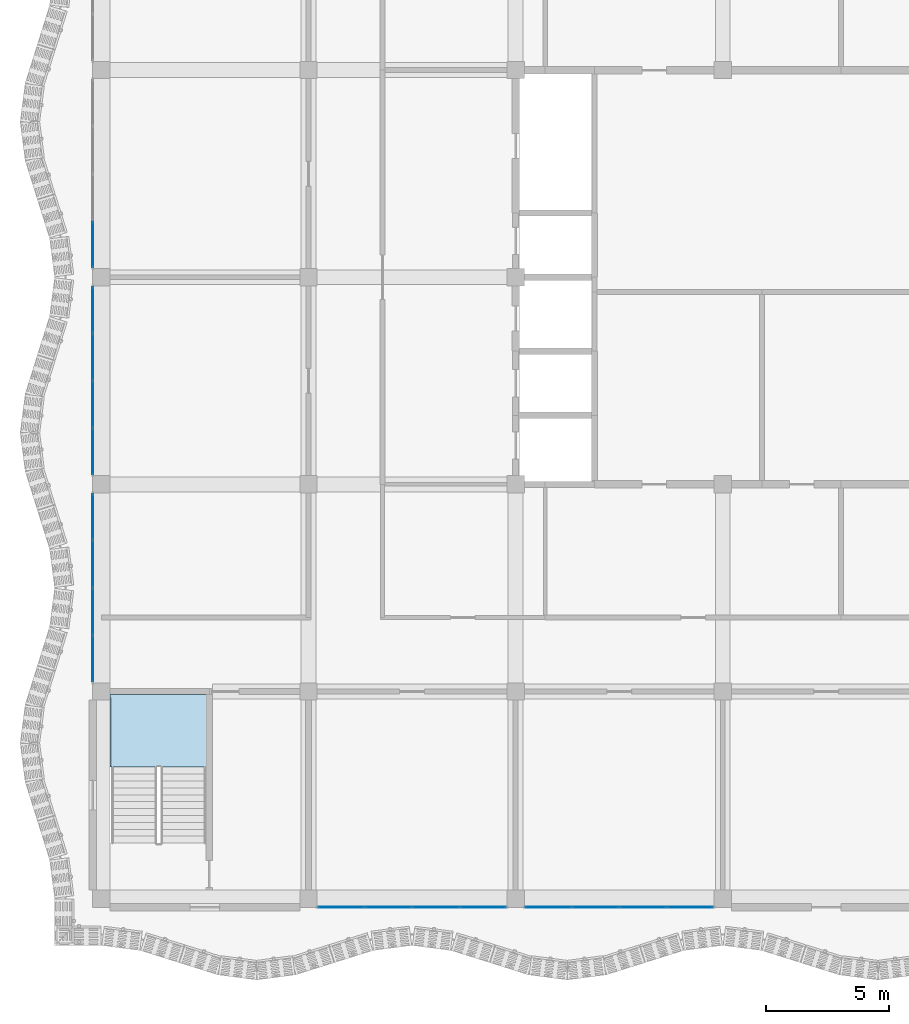
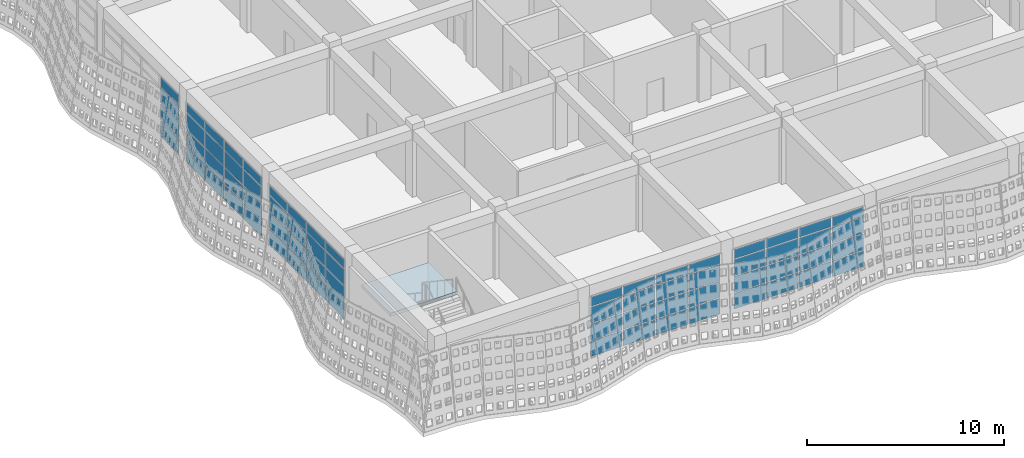
# One storey, part 61 of 162: 68 plates, 1 slab, 6 elements without a shape of their own.
"""IFC4 building model written with IfcOpenShell, lengths in metres."""

from ifc_helpers import new_model, si_unit, direction, frame, origin, origin_2d, place, context, subcontext, project, spatial, polyline, rectangle, outline, extrude, material, layer, layer_set, type_object, element, aggregate, save


model = new_model("IFC4")

# Units and contexts
model_context = context("Model", 3, precision=1e-05, world=origin(), true_north=direction((0.0, 1.0)))
body_context = subcontext(model_context, "Body", "Model", "MODEL_VIEW")
ifc_project = project(units=[si_unit("LENGTHUNIT", "METRE"), si_unit("AREAUNIT", "SQUARE_METRE"), si_unit("VOLUMEUNIT", "CUBIC_METRE"), si_unit("PLANEANGLEUNIT", "RADIAN"), si_unit("MASSUNIT", "GRAM", prefix="KILO")], contexts=[model_context])

# Site, building, storey
site_placement = place(None, origin())
site = spatial("IfcSite", under=ifc_project, at=site_placement, CompositionType="ELEMENT")
building_placement = place(site_placement, origin())
building = spatial("IfcBuilding", under=site, at=building_placement, Name="Rain Tree Exposition and Congress Centre", CompositionType="ELEMENT")
storey_placement = place(building_placement, frame((0.0, 0.0, 6.0)))
storey = spatial("IfcBuildingStorey", under=building, at=storey_placement, Name="L01", CompositionType="ELEMENT", Elevation=6.0)

# Curtain wall, plates
ifc_material_1 = material(Name="Aluminium curtain wall", Category="aluminium")
curtain_wall_type = type_object("IfcCurtainWallType", Name="Wing curtain wall 1925", PredefinedType="NOTDEFINED", material=ifc_material_1)
curtain_wall_1_placement = place(storey_placement, origin())
curtain_wall_1 = element("IfcCurtainWall", 1, at=curtain_wall_1_placement, inside=storey, type_object=curtain_wall_type, Name="Curtain wall CWW201", PredefinedType="NOTDEFINED")
ifc_material_2 = material(Name="Double glazed unit", Category="glass")
ifc_layer_1 = layer(ifc_material_2, 0.028076171875)
ifc_layer_set_1 = layer_set([ifc_layer_1], Name="Double glazed unit")
plate_type = type_object("IfcPlateType", Name="Wing glazing panel 28", PredefinedType="CURTAIN_PANEL", material=ifc_layer_set_1)
plate_1_placement = place(storey_placement, frame((9.7275390625, -0.35009765625, 0.06005859375), z_axis=(0.0, 0.0, 1.0), x_axis=(1.0, 0.0, 0.0)))
plate_1 = element("IfcPlate", 2, at=plate_1_placement, type_object=plate_type, Name="CWW201 panel 1.1", PredefinedType="CURTAIN_PANEL", context=body_context, shape_type="SweptSolid", body=[
    extrude(rectangle(XDim=1.8349609375, YDim=0.028076171875, at=origin_2d()), origin(), (0.0, 0.0, 1.0), 0.9599609375),
])
plate_2_placement = place(storey_placement, frame((9.7275390625, -0.35009765625, 1.080078125), z_axis=(0.0, 0.0, 1.0), x_axis=(1.0, 0.0, 0.0)))
plate_2 = element("IfcPlate", 3, at=plate_2_placement, type_object=plate_type, Name="CWW201 panel 1.2", PredefinedType="CURTAIN_PANEL", context=body_context, shape_type="SweptSolid", body=[
    extrude(rectangle(XDim=1.8349609375, YDim=0.028076171875, at=origin_2d()), origin(), (0.0, 0.0, 1.0), 0.989990234375),
])
plate_3_placement = place(storey_placement, frame((9.7275390625, -0.35009765625, 2.1298828125), z_axis=(0.0, 0.0, 1.0), x_axis=(1.0, 0.0, 0.0)))
plate_3 = element("IfcPlate", 4, at=plate_3_placement, type_object=plate_type, Name="CWW201 panel 1.3", PredefinedType="CURTAIN_PANEL", context=body_context, shape_type="SweptSolid", body=[
    extrude(rectangle(XDim=1.8349609375, YDim=0.028076171875, at=origin_2d()), origin(), (0.0, 0.0, 1.0), 0.989990234375),
])
plate_4_placement = place(storey_placement, frame((9.7275390625, -0.35009765625, 3.179931640625), z_axis=(0.0, 0.0, 1.0), x_axis=(1.0, 0.0, 0.0)))
plate_4 = element("IfcPlate", 5, at=plate_4_placement, type_object=plate_type, Name="CWW201 panel 1.4", PredefinedType="CURTAIN_PANEL", context=body_context, shape_type="SweptSolid", body=[
    extrude(rectangle(XDim=1.8349609375, YDim=0.028076171875, at=origin_2d()), origin(), (0.0, 0.0, 1.0), 0.56005859375),
])
plate_5_placement = place(storey_placement, frame((11.637451171875, -0.35009765625, 0.06005859375), z_axis=(0.0, 0.0, 1.0), x_axis=(1.0, 0.0, 0.0)))
plate_5 = element("IfcPlate", 6, at=plate_5_placement, type_object=plate_type, Name="CWW201 panel 2.1", PredefinedType="CURTAIN_PANEL", context=body_context, shape_type="SweptSolid", body=[
    extrude(rectangle(XDim=1.864990234375, YDim=0.028076171875, at=origin_2d()), origin(), (0.0, 0.0, 1.0), 0.9599609375),
])
plate_6_placement = place(storey_placement, frame((11.637451171875, -0.35009765625, 1.080078125), z_axis=(0.0, 0.0, 1.0), x_axis=(1.0, 0.0, 0.0)))
plate_6 = element("IfcPlate", 7, at=plate_6_placement, type_object=plate_type, Name="CWW201 panel 2.2", PredefinedType="CURTAIN_PANEL", context=body_context, shape_type="SweptSolid", body=[
    extrude(rectangle(XDim=1.864990234375, YDim=0.028076171875, at=origin_2d()), origin(), (0.0, 0.0, 1.0), 0.989990234375),
])
plate_7_placement = place(storey_placement, frame((11.637451171875, -0.35009765625, 2.1298828125), z_axis=(0.0, 0.0, 1.0), x_axis=(1.0, 0.0, 0.0)))
plate_7 = element("IfcPlate", 8, at=plate_7_placement, type_object=plate_type, Name="CWW201 panel 2.3", PredefinedType="CURTAIN_PANEL", context=body_context, shape_type="SweptSolid", body=[
    extrude(rectangle(XDim=1.864990234375, YDim=0.028076171875, at=origin_2d()), origin(), (0.0, 0.0, 1.0), 0.989990234375),
])
plate_8_placement = place(storey_placement, frame((11.637451171875, -0.35009765625, 3.179931640625), z_axis=(0.0, 0.0, 1.0), x_axis=(1.0, 0.0, 0.0)))
plate_8 = element("IfcPlate", 9, at=plate_8_placement, type_object=plate_type, Name="CWW201 panel 2.4", PredefinedType="CURTAIN_PANEL", context=body_context, shape_type="SweptSolid", body=[
    extrude(rectangle(XDim=1.864990234375, YDim=0.028076171875, at=origin_2d()), origin(), (0.0, 0.0, 1.0), 0.56005859375),
])
plate_9_placement = place(storey_placement, frame((13.5625, -0.35009765625, 0.06005859375), z_axis=(0.0, 0.0, 1.0), x_axis=(1.0, 0.0, 0.0)))
plate_9 = element("IfcPlate", 10, at=plate_9_placement, type_object=plate_type, Name="CWW201 panel 3.1", PredefinedType="CURTAIN_PANEL", context=body_context, shape_type="SweptSolid", body=[
    extrude(rectangle(XDim=1.864990234375, YDim=0.028076171875, at=origin_2d()), origin(), (0.0, 0.0, 1.0), 0.9599609375),
])
plate_10_placement = place(storey_placement, frame((13.5625, -0.35009765625, 1.080078125), z_axis=(0.0, 0.0, 1.0), x_axis=(1.0, 0.0, 0.0)))
plate_10 = element("IfcPlate", 11, at=plate_10_placement, type_object=plate_type, Name="CWW201 panel 3.2", PredefinedType="CURTAIN_PANEL", context=body_context, shape_type="SweptSolid", body=[
    extrude(rectangle(XDim=1.864990234375, YDim=0.028076171875, at=origin_2d()), origin(), (0.0, 0.0, 1.0), 0.989990234375),
])
plate_11_placement = place(storey_placement, frame((13.5625, -0.35009765625, 2.1298828125), z_axis=(0.0, 0.0, 1.0), x_axis=(1.0, 0.0, 0.0)))
plate_11 = element("IfcPlate", 12, at=plate_11_placement, type_object=plate_type, Name="CWW201 panel 3.3", PredefinedType="CURTAIN_PANEL", context=body_context, shape_type="SweptSolid", body=[
    extrude(rectangle(XDim=1.864990234375, YDim=0.028076171875, at=origin_2d()), origin(), (0.0, 0.0, 1.0), 0.989990234375),
])
plate_12_placement = place(storey_placement, frame((13.5625, -0.35009765625, 3.179931640625), z_axis=(0.0, 0.0, 1.0), x_axis=(1.0, 0.0, 0.0)))
plate_12 = element("IfcPlate", 13, at=plate_12_placement, type_object=plate_type, Name="CWW201 panel 3.4", PredefinedType="CURTAIN_PANEL", context=body_context, shape_type="SweptSolid", body=[
    extrude(rectangle(XDim=1.864990234375, YDim=0.028076171875, at=origin_2d()), origin(), (0.0, 0.0, 1.0), 0.56005859375),
])
plate_13_placement = place(storey_placement, frame((15.472412109375, -0.35009765625, 0.06005859375), z_axis=(0.0, 0.0, 1.0), x_axis=(1.0, 0.0, 0.0)))
plate_13 = element("IfcPlate", 14, at=plate_13_placement, type_object=plate_type, Name="CWW201 panel 4.1", PredefinedType="CURTAIN_PANEL", context=body_context, shape_type="SweptSolid", body=[
    extrude(rectangle(XDim=1.8349609375, YDim=0.028076171875, at=origin_2d()), origin(), (0.0, 0.0, 1.0), 0.9599609375),
])
plate_14_placement = place(storey_placement, frame((15.472412109375, -0.35009765625, 1.080078125), z_axis=(0.0, 0.0, 1.0), x_axis=(1.0, 0.0, 0.0)))
plate_14 = element("IfcPlate", 15, at=plate_14_placement, type_object=plate_type, Name="CWW201 panel 4.2", PredefinedType="CURTAIN_PANEL", context=body_context, shape_type="SweptSolid", body=[
    extrude(rectangle(XDim=1.8349609375, YDim=0.028076171875, at=origin_2d()), origin(), (0.0, 0.0, 1.0), 0.989990234375),
])
plate_15_placement = place(storey_placement, frame((15.472412109375, -0.35009765625, 2.1298828125), z_axis=(0.0, 0.0, 1.0), x_axis=(1.0, 0.0, 0.0)))
plate_15 = element("IfcPlate", 16, at=plate_15_placement, type_object=plate_type, Name="CWW201 panel 4.3", PredefinedType="CURTAIN_PANEL", context=body_context, shape_type="SweptSolid", body=[
    extrude(rectangle(XDim=1.8349609375, YDim=0.028076171875, at=origin_2d()), origin(), (0.0, 0.0, 1.0), 0.989990234375),
])
plate_16_placement = place(storey_placement, frame((15.472412109375, -0.35009765625, 3.179931640625), z_axis=(0.0, 0.0, 1.0), x_axis=(1.0, 0.0, 0.0)))
plate_16 = element("IfcPlate", 17, at=plate_16_placement, type_object=plate_type, Name="CWW201 panel 4.4", PredefinedType="CURTAIN_PANEL", context=body_context, shape_type="SweptSolid", body=[
    extrude(rectangle(XDim=1.8349609375, YDim=0.028076171875, at=origin_2d()), origin(), (0.0, 0.0, 1.0), 0.56005859375),
])
aggregate(curtain_wall_1, [plate_1, plate_2, plate_3, plate_4, plate_5, plate_6, plate_7, plate_8, plate_9, plate_10, plate_11, plate_12, plate_13, plate_14, plate_15, plate_16])

curtain_wall_2_placement = place(storey_placement, origin())
curtain_wall_2 = element("IfcCurtainWall", 18, at=curtain_wall_2_placement, inside=storey, type_object=curtain_wall_type, Name="Curtain wall CWW202", PredefinedType="NOTDEFINED")
plate_17_placement = place(storey_placement, frame((18.12744140625, -0.35009765625, 0.06005859375), z_axis=(0.0, 0.0, 1.0), x_axis=(1.0, 0.0, 0.0)))
plate_17 = element("IfcPlate", 19, at=plate_17_placement, type_object=plate_type, Name="CWW202 panel 1.1", PredefinedType="CURTAIN_PANEL", context=body_context, shape_type="SweptSolid", body=[
    extrude(rectangle(XDim=1.8349609375, YDim=0.028076171875, at=origin_2d()), origin(), (0.0, 0.0, 1.0), 0.9599609375),
])
plate_18_placement = place(storey_placement, frame((18.12744140625, -0.35009765625, 1.080078125), z_axis=(0.0, 0.0, 1.0), x_axis=(1.0, 0.0, 0.0)))
plate_18 = element("IfcPlate", 20, at=plate_18_placement, type_object=plate_type, Name="CWW202 panel 1.2", PredefinedType="CURTAIN_PANEL", context=body_context, shape_type="SweptSolid", body=[
    extrude(rectangle(XDim=1.8349609375, YDim=0.028076171875, at=origin_2d()), origin(), (0.0, 0.0, 1.0), 0.989990234375),
])
plate_19_placement = place(storey_placement, frame((18.12744140625, -0.35009765625, 2.1298828125), z_axis=(0.0, 0.0, 1.0), x_axis=(1.0, 0.0, 0.0)))
plate_19 = element("IfcPlate", 21, at=plate_19_placement, type_object=plate_type, Name="CWW202 panel 1.3", PredefinedType="CURTAIN_PANEL", context=body_context, shape_type="SweptSolid", body=[
    extrude(rectangle(XDim=1.8349609375, YDim=0.028076171875, at=origin_2d()), origin(), (0.0, 0.0, 1.0), 0.989990234375),
])
plate_20_placement = place(storey_placement, frame((18.12744140625, -0.35009765625, 3.179931640625), z_axis=(0.0, 0.0, 1.0), x_axis=(1.0, 0.0, 0.0)))
plate_20 = element("IfcPlate", 22, at=plate_20_placement, type_object=plate_type, Name="CWW202 panel 1.4", PredefinedType="CURTAIN_PANEL", context=body_context, shape_type="SweptSolid", body=[
    extrude(rectangle(XDim=1.8349609375, YDim=0.028076171875, at=origin_2d()), origin(), (0.0, 0.0, 1.0), 0.56005859375),
])
plate_21_placement = place(storey_placement, frame((20.03759765625, -0.35009765625, 0.06005859375), z_axis=(0.0, 0.0, 1.0), x_axis=(1.0, 0.0, 0.0)))
plate_21 = element("IfcPlate", 23, at=plate_21_placement, type_object=plate_type, Name="CWW202 panel 2.1", PredefinedType="CURTAIN_PANEL", context=body_context, shape_type="SweptSolid", body=[
    extrude(rectangle(XDim=1.864990234375, YDim=0.028076171875, at=origin_2d()), origin(), (0.0, 0.0, 1.0), 0.9599609375),
])
plate_22_placement = place(storey_placement, frame((20.03759765625, -0.35009765625, 1.080078125), z_axis=(0.0, 0.0, 1.0), x_axis=(1.0, 0.0, 0.0)))
plate_22 = element("IfcPlate", 24, at=plate_22_placement, type_object=plate_type, Name="CWW202 panel 2.2", PredefinedType="CURTAIN_PANEL", context=body_context, shape_type="SweptSolid", body=[
    extrude(rectangle(XDim=1.864990234375, YDim=0.028076171875, at=origin_2d()), origin(), (0.0, 0.0, 1.0), 0.989990234375),
])
plate_23_placement = place(storey_placement, frame((20.03759765625, -0.35009765625, 2.1298828125), z_axis=(0.0, 0.0, 1.0), x_axis=(1.0, 0.0, 0.0)))
plate_23 = element("IfcPlate", 25, at=plate_23_placement, type_object=plate_type, Name="CWW202 panel 2.3", PredefinedType="CURTAIN_PANEL", context=body_context, shape_type="SweptSolid", body=[
    extrude(rectangle(XDim=1.864990234375, YDim=0.028076171875, at=origin_2d()), origin(), (0.0, 0.0, 1.0), 0.989990234375),
])
plate_24_placement = place(storey_placement, frame((20.03759765625, -0.35009765625, 3.179931640625), z_axis=(0.0, 0.0, 1.0), x_axis=(1.0, 0.0, 0.0)))
plate_24 = element("IfcPlate", 26, at=plate_24_placement, type_object=plate_type, Name="CWW202 panel 2.4", PredefinedType="CURTAIN_PANEL", context=body_context, shape_type="SweptSolid", body=[
    extrude(rectangle(XDim=1.864990234375, YDim=0.028076171875, at=origin_2d()), origin(), (0.0, 0.0, 1.0), 0.56005859375),
])
plate_25_placement = place(storey_placement, frame((21.96240234375, -0.35009765625, 0.06005859375), z_axis=(0.0, 0.0, 1.0), x_axis=(1.0, 0.0, 0.0)))
plate_25 = element("IfcPlate", 27, at=plate_25_placement, type_object=plate_type, Name="CWW202 panel 3.1", PredefinedType="CURTAIN_PANEL", context=body_context, shape_type="SweptSolid", body=[
    extrude(rectangle(XDim=1.864990234375, YDim=0.028076171875, at=origin_2d()), origin(), (0.0, 0.0, 1.0), 0.9599609375),
])
plate_26_placement = place(storey_placement, frame((21.96240234375, -0.35009765625, 1.080078125), z_axis=(0.0, 0.0, 1.0), x_axis=(1.0, 0.0, 0.0)))
plate_26 = element("IfcPlate", 28, at=plate_26_placement, type_object=plate_type, Name="CWW202 panel 3.2", PredefinedType="CURTAIN_PANEL", context=body_context, shape_type="SweptSolid", body=[
    extrude(rectangle(XDim=1.864990234375, YDim=0.028076171875, at=origin_2d()), origin(), (0.0, 0.0, 1.0), 0.989990234375),
])
plate_27_placement = place(storey_placement, frame((21.96240234375, -0.35009765625, 2.1298828125), z_axis=(0.0, 0.0, 1.0), x_axis=(1.0, 0.0, 0.0)))
plate_27 = element("IfcPlate", 29, at=plate_27_placement, type_object=plate_type, Name="CWW202 panel 3.3", PredefinedType="CURTAIN_PANEL", context=body_context, shape_type="SweptSolid", body=[
    extrude(rectangle(XDim=1.864990234375, YDim=0.028076171875, at=origin_2d()), origin(), (0.0, 0.0, 1.0), 0.989990234375),
])
plate_28_placement = place(storey_placement, frame((21.96240234375, -0.35009765625, 3.179931640625), z_axis=(0.0, 0.0, 1.0), x_axis=(1.0, 0.0, 0.0)))
plate_28 = element("IfcPlate", 30, at=plate_28_placement, type_object=plate_type, Name="CWW202 panel 3.4", PredefinedType="CURTAIN_PANEL", context=body_context, shape_type="SweptSolid", body=[
    extrude(rectangle(XDim=1.864990234375, YDim=0.028076171875, at=origin_2d()), origin(), (0.0, 0.0, 1.0), 0.56005859375),
])
plate_29_placement = place(storey_placement, frame((23.87255859375, -0.35009765625, 0.06005859375), z_axis=(0.0, 0.0, 1.0), x_axis=(1.0, 0.0, 0.0)))
plate_29 = element("IfcPlate", 31, at=plate_29_placement, type_object=plate_type, Name="CWW202 panel 4.1", PredefinedType="CURTAIN_PANEL", context=body_context, shape_type="SweptSolid", body=[
    extrude(rectangle(XDim=1.8349609375, YDim=0.028076171875, at=origin_2d()), origin(), (0.0, 0.0, 1.0), 0.9599609375),
])
plate_30_placement = place(storey_placement, frame((23.87255859375, -0.35009765625, 1.080078125), z_axis=(0.0, 0.0, 1.0), x_axis=(1.0, 0.0, 0.0)))
plate_30 = element("IfcPlate", 32, at=plate_30_placement, type_object=plate_type, Name="CWW202 panel 4.2", PredefinedType="CURTAIN_PANEL", context=body_context, shape_type="SweptSolid", body=[
    extrude(rectangle(XDim=1.8349609375, YDim=0.028076171875, at=origin_2d()), origin(), (0.0, 0.0, 1.0), 0.989990234375),
])
plate_31_placement = place(storey_placement, frame((23.87255859375, -0.35009765625, 2.1298828125), z_axis=(0.0, 0.0, 1.0), x_axis=(1.0, 0.0, 0.0)))
plate_31 = element("IfcPlate", 33, at=plate_31_placement, type_object=plate_type, Name="CWW202 panel 4.3", PredefinedType="CURTAIN_PANEL", context=body_context, shape_type="SweptSolid", body=[
    extrude(rectangle(XDim=1.8349609375, YDim=0.028076171875, at=origin_2d()), origin(), (0.0, 0.0, 1.0), 0.989990234375),
])
plate_32_placement = place(storey_placement, frame((23.87255859375, -0.35009765625, 3.179931640625), z_axis=(0.0, 0.0, 1.0), x_axis=(1.0, 0.0, 0.0)))
plate_32 = element("IfcPlate", 34, at=plate_32_placement, type_object=plate_type, Name="CWW202 panel 4.4", PredefinedType="CURTAIN_PANEL", context=body_context, shape_type="SweptSolid", body=[
    extrude(rectangle(XDim=1.8349609375, YDim=0.028076171875, at=origin_2d()), origin(), (0.0, 0.0, 1.0), 0.56005859375),
])
aggregate(curtain_wall_2, [plate_17, plate_18, plate_19, plate_20, plate_21, plate_22, plate_23, plate_24, plate_25, plate_26, plate_27, plate_28, plate_29, plate_30, plate_31, plate_32])

curtain_wall_3_placement = place(storey_placement, origin())
curtain_wall_3 = element("IfcCurtainWall", 35, at=curtain_wall_3_placement, inside=storey, type_object=curtain_wall_type, Name="Curtain wall CWW208", PredefinedType="NOTDEFINED")
plate_33_placement = place(storey_placement, frame((-0.35009765625, 9.7275390625, 0.06005859375), z_axis=(0.0, 0.0, 1.0), x_axis=(0.0, 1.0, 0.0)))
plate_33 = element("IfcPlate", 36, at=plate_33_placement, type_object=plate_type, Name="CWW208 panel 1.1", PredefinedType="CURTAIN_PANEL", context=body_context, shape_type="SweptSolid", body=[
    extrude(rectangle(XDim=1.8349609375, YDim=0.028076171875, at=origin_2d()), origin(), (0.0, 0.0, 1.0), 0.9599609375),
])
plate_34_placement = place(storey_placement, frame((-0.35009765625, 9.7275390625, 1.080078125), z_axis=(0.0, 0.0, 1.0), x_axis=(0.0, 1.0, 0.0)))
plate_34 = element("IfcPlate", 37, at=plate_34_placement, type_object=plate_type, Name="CWW208 panel 1.2", PredefinedType="CURTAIN_PANEL", context=body_context, shape_type="SweptSolid", body=[
    extrude(rectangle(XDim=1.8349609375, YDim=0.028076171875, at=origin_2d()), origin(), (0.0, 0.0, 1.0), 0.989990234375),
])
plate_35_placement = place(storey_placement, frame((-0.35009765625, 9.7275390625, 2.1298828125), z_axis=(0.0, 0.0, 1.0), x_axis=(0.0, 1.0, 0.0)))
plate_35 = element("IfcPlate", 38, at=plate_35_placement, type_object=plate_type, Name="CWW208 panel 1.3", PredefinedType="CURTAIN_PANEL", context=body_context, shape_type="SweptSolid", body=[
    extrude(rectangle(XDim=1.8349609375, YDim=0.028076171875, at=origin_2d()), origin(), (0.0, 0.0, 1.0), 0.989990234375),
])
plate_36_placement = place(storey_placement, frame((-0.35009765625, 9.7275390625, 3.179931640625), z_axis=(0.0, 0.0, 1.0), x_axis=(0.0, 1.0, 0.0)))
plate_36 = element("IfcPlate", 39, at=plate_36_placement, type_object=plate_type, Name="CWW208 panel 1.4", PredefinedType="CURTAIN_PANEL", context=body_context, shape_type="SweptSolid", body=[
    extrude(rectangle(XDim=1.8349609375, YDim=0.028076171875, at=origin_2d()), origin(), (0.0, 0.0, 1.0), 0.56005859375),
])
plate_37_placement = place(storey_placement, frame((-0.35009765625, 11.637451171875, 0.06005859375), z_axis=(0.0, 0.0, 1.0), x_axis=(0.0, 1.0, 0.0)))
plate_37 = element("IfcPlate", 40, at=plate_37_placement, type_object=plate_type, Name="CWW208 panel 2.1", PredefinedType="CURTAIN_PANEL", context=body_context, shape_type="SweptSolid", body=[
    extrude(rectangle(XDim=1.864990234375, YDim=0.028076171875, at=origin_2d()), origin(), (0.0, 0.0, 1.0), 0.9599609375),
])
plate_38_placement = place(storey_placement, frame((-0.35009765625, 11.637451171875, 1.080078125), z_axis=(0.0, 0.0, 1.0), x_axis=(0.0, 1.0, 0.0)))
plate_38 = element("IfcPlate", 41, at=plate_38_placement, type_object=plate_type, Name="CWW208 panel 2.2", PredefinedType="CURTAIN_PANEL", context=body_context, shape_type="SweptSolid", body=[
    extrude(rectangle(XDim=1.864990234375, YDim=0.028076171875, at=origin_2d()), origin(), (0.0, 0.0, 1.0), 0.989990234375),
])
plate_39_placement = place(storey_placement, frame((-0.35009765625, 11.637451171875, 2.1298828125), z_axis=(0.0, 0.0, 1.0), x_axis=(0.0, 1.0, 0.0)))
plate_39 = element("IfcPlate", 42, at=plate_39_placement, type_object=plate_type, Name="CWW208 panel 2.3", PredefinedType="CURTAIN_PANEL", context=body_context, shape_type="SweptSolid", body=[
    extrude(rectangle(XDim=1.864990234375, YDim=0.028076171875, at=origin_2d()), origin(), (0.0, 0.0, 1.0), 0.989990234375),
])
plate_40_placement = place(storey_placement, frame((-0.35009765625, 11.637451171875, 3.179931640625), z_axis=(0.0, 0.0, 1.0), x_axis=(0.0, 1.0, 0.0)))
plate_40 = element("IfcPlate", 43, at=plate_40_placement, type_object=plate_type, Name="CWW208 panel 2.4", PredefinedType="CURTAIN_PANEL", context=body_context, shape_type="SweptSolid", body=[
    extrude(rectangle(XDim=1.864990234375, YDim=0.028076171875, at=origin_2d()), origin(), (0.0, 0.0, 1.0), 0.56005859375),
])
plate_41_placement = place(storey_placement, frame((-0.35009765625, 13.5625, 0.06005859375), z_axis=(0.0, 0.0, 1.0), x_axis=(0.0, 1.0, 0.0)))
plate_41 = element("IfcPlate", 44, at=plate_41_placement, type_object=plate_type, Name="CWW208 panel 3.1", PredefinedType="CURTAIN_PANEL", context=body_context, shape_type="SweptSolid", body=[
    extrude(rectangle(XDim=1.864990234375, YDim=0.028076171875, at=origin_2d()), origin(), (0.0, 0.0, 1.0), 0.9599609375),
])
plate_42_placement = place(storey_placement, frame((-0.35009765625, 13.5625, 1.080078125), z_axis=(0.0, 0.0, 1.0), x_axis=(0.0, 1.0, 0.0)))
plate_42 = element("IfcPlate", 45, at=plate_42_placement, type_object=plate_type, Name="CWW208 panel 3.2", PredefinedType="CURTAIN_PANEL", context=body_context, shape_type="SweptSolid", body=[
    extrude(rectangle(XDim=1.864990234375, YDim=0.028076171875, at=origin_2d()), origin(), (0.0, 0.0, 1.0), 0.989990234375),
])
plate_43_placement = place(storey_placement, frame((-0.35009765625, 13.5625, 2.1298828125), z_axis=(0.0, 0.0, 1.0), x_axis=(0.0, 1.0, 0.0)))
plate_43 = element("IfcPlate", 46, at=plate_43_placement, type_object=plate_type, Name="CWW208 panel 3.3", PredefinedType="CURTAIN_PANEL", context=body_context, shape_type="SweptSolid", body=[
    extrude(rectangle(XDim=1.864990234375, YDim=0.028076171875, at=origin_2d()), origin(), (0.0, 0.0, 1.0), 0.989990234375),
])
plate_44_placement = place(storey_placement, frame((-0.35009765625, 13.5625, 3.179931640625), z_axis=(0.0, 0.0, 1.0), x_axis=(0.0, 1.0, 0.0)))
plate_44 = element("IfcPlate", 47, at=plate_44_placement, type_object=plate_type, Name="CWW208 panel 3.4", PredefinedType="CURTAIN_PANEL", context=body_context, shape_type="SweptSolid", body=[
    extrude(rectangle(XDim=1.864990234375, YDim=0.028076171875, at=origin_2d()), origin(), (0.0, 0.0, 1.0), 0.56005859375),
])
plate_45_placement = place(storey_placement, frame((-0.35009765625, 15.472412109375, 0.06005859375), z_axis=(0.0, 0.0, 1.0), x_axis=(0.0, 1.0, 0.0)))
plate_45 = element("IfcPlate", 48, at=plate_45_placement, type_object=plate_type, Name="CWW208 panel 4.1", PredefinedType="CURTAIN_PANEL", context=body_context, shape_type="SweptSolid", body=[
    extrude(rectangle(XDim=1.8349609375, YDim=0.028076171875, at=origin_2d()), origin(), (0.0, 0.0, 1.0), 0.9599609375),
])
plate_46_placement = place(storey_placement, frame((-0.35009765625, 15.472412109375, 1.080078125), z_axis=(0.0, 0.0, 1.0), x_axis=(0.0, 1.0, 0.0)))
plate_46 = element("IfcPlate", 49, at=plate_46_placement, type_object=plate_type, Name="CWW208 panel 4.2", PredefinedType="CURTAIN_PANEL", context=body_context, shape_type="SweptSolid", body=[
    extrude(rectangle(XDim=1.8349609375, YDim=0.028076171875, at=origin_2d()), origin(), (0.0, 0.0, 1.0), 0.989990234375),
])
plate_47_placement = place(storey_placement, frame((-0.35009765625, 15.472412109375, 2.1298828125), z_axis=(0.0, 0.0, 1.0), x_axis=(0.0, 1.0, 0.0)))
plate_47 = element("IfcPlate", 50, at=plate_47_placement, type_object=plate_type, Name="CWW208 panel 4.3", PredefinedType="CURTAIN_PANEL", context=body_context, shape_type="SweptSolid", body=[
    extrude(rectangle(XDim=1.8349609375, YDim=0.028076171875, at=origin_2d()), origin(), (0.0, 0.0, 1.0), 0.989990234375),
])
plate_48_placement = place(storey_placement, frame((-0.35009765625, 15.472412109375, 3.179931640625), z_axis=(0.0, 0.0, 1.0), x_axis=(0.0, 1.0, 0.0)))
plate_48 = element("IfcPlate", 51, at=plate_48_placement, type_object=plate_type, Name="CWW208 panel 4.4", PredefinedType="CURTAIN_PANEL", context=body_context, shape_type="SweptSolid", body=[
    extrude(rectangle(XDim=1.8349609375, YDim=0.028076171875, at=origin_2d()), origin(), (0.0, 0.0, 1.0), 0.56005859375),
])
aggregate(curtain_wall_3, [plate_33, plate_34, plate_35, plate_36, plate_37, plate_38, plate_39, plate_40, plate_41, plate_42, plate_43, plate_44, plate_45, plate_46, plate_47, plate_48])

curtain_wall_4_placement = place(storey_placement, origin())
curtain_wall_4 = element("IfcCurtainWall", 52, at=curtain_wall_4_placement, inside=storey, type_object=curtain_wall_type, Name="Curtain wall CWW209", PredefinedType="NOTDEFINED")
plate_49_placement = place(storey_placement, frame((-0.35009765625, 18.12744140625, 0.06005859375), z_axis=(0.0, 0.0, 1.0), x_axis=(0.0, 1.0, 0.0)))
plate_49 = element("IfcPlate", 53, at=plate_49_placement, type_object=plate_type, Name="CWW209 panel 1.1", PredefinedType="CURTAIN_PANEL", context=body_context, shape_type="SweptSolid", body=[
    extrude(rectangle(XDim=1.8349609375, YDim=0.028076171875, at=origin_2d()), origin(), (0.0, 0.0, 1.0), 0.9599609375),
])
plate_50_placement = place(storey_placement, frame((-0.35009765625, 18.12744140625, 1.080078125), z_axis=(0.0, 0.0, 1.0), x_axis=(0.0, 1.0, 0.0)))
plate_50 = element("IfcPlate", 54, at=plate_50_placement, type_object=plate_type, Name="CWW209 panel 1.2", PredefinedType="CURTAIN_PANEL", context=body_context, shape_type="SweptSolid", body=[
    extrude(rectangle(XDim=1.8349609375, YDim=0.028076171875, at=origin_2d()), origin(), (0.0, 0.0, 1.0), 0.989990234375),
])
plate_51_placement = place(storey_placement, frame((-0.35009765625, 18.12744140625, 2.1298828125), z_axis=(0.0, 0.0, 1.0), x_axis=(0.0, 1.0, 0.0)))
plate_51 = element("IfcPlate", 55, at=plate_51_placement, type_object=plate_type, Name="CWW209 panel 1.3", PredefinedType="CURTAIN_PANEL", context=body_context, shape_type="SweptSolid", body=[
    extrude(rectangle(XDim=1.8349609375, YDim=0.028076171875, at=origin_2d()), origin(), (0.0, 0.0, 1.0), 0.989990234375),
])
plate_52_placement = place(storey_placement, frame((-0.35009765625, 18.12744140625, 3.179931640625), z_axis=(0.0, 0.0, 1.0), x_axis=(0.0, 1.0, 0.0)))
plate_52 = element("IfcPlate", 56, at=plate_52_placement, type_object=plate_type, Name="CWW209 panel 1.4", PredefinedType="CURTAIN_PANEL", context=body_context, shape_type="SweptSolid", body=[
    extrude(rectangle(XDim=1.8349609375, YDim=0.028076171875, at=origin_2d()), origin(), (0.0, 0.0, 1.0), 0.56005859375),
])
plate_53_placement = place(storey_placement, frame((-0.35009765625, 20.03759765625, 0.06005859375), z_axis=(0.0, 0.0, 1.0), x_axis=(0.0, 1.0, 0.0)))
plate_53 = element("IfcPlate", 57, at=plate_53_placement, type_object=plate_type, Name="CWW209 panel 2.1", PredefinedType="CURTAIN_PANEL", context=body_context, shape_type="SweptSolid", body=[
    extrude(rectangle(XDim=1.864990234375, YDim=0.028076171875, at=origin_2d()), origin(), (0.0, 0.0, 1.0), 0.9599609375),
])
plate_54_placement = place(storey_placement, frame((-0.35009765625, 20.03759765625, 1.080078125), z_axis=(0.0, 0.0, 1.0), x_axis=(0.0, 1.0, 0.0)))
plate_54 = element("IfcPlate", 58, at=plate_54_placement, type_object=plate_type, Name="CWW209 panel 2.2", PredefinedType="CURTAIN_PANEL", context=body_context, shape_type="SweptSolid", body=[
    extrude(rectangle(XDim=1.864990234375, YDim=0.028076171875, at=origin_2d()), origin(), (0.0, 0.0, 1.0), 0.989990234375),
])
plate_55_placement = place(storey_placement, frame((-0.35009765625, 20.03759765625, 2.1298828125), z_axis=(0.0, 0.0, 1.0), x_axis=(0.0, 1.0, 0.0)))
plate_55 = element("IfcPlate", 59, at=plate_55_placement, type_object=plate_type, Name="CWW209 panel 2.3", PredefinedType="CURTAIN_PANEL", context=body_context, shape_type="SweptSolid", body=[
    extrude(rectangle(XDim=1.864990234375, YDim=0.028076171875, at=origin_2d()), origin(), (0.0, 0.0, 1.0), 0.989990234375),
])
plate_56_placement = place(storey_placement, frame((-0.35009765625, 20.03759765625, 3.179931640625), z_axis=(0.0, 0.0, 1.0), x_axis=(0.0, 1.0, 0.0)))
plate_56 = element("IfcPlate", 60, at=plate_56_placement, type_object=plate_type, Name="CWW209 panel 2.4", PredefinedType="CURTAIN_PANEL", context=body_context, shape_type="SweptSolid", body=[
    extrude(rectangle(XDim=1.864990234375, YDim=0.028076171875, at=origin_2d()), origin(), (0.0, 0.0, 1.0), 0.56005859375),
])
plate_57_placement = place(storey_placement, frame((-0.35009765625, 21.96240234375, 0.06005859375), z_axis=(0.0, 0.0, 1.0), x_axis=(0.0, 1.0, 0.0)))
plate_57 = element("IfcPlate", 61, at=plate_57_placement, type_object=plate_type, Name="CWW209 panel 3.1", PredefinedType="CURTAIN_PANEL", context=body_context, shape_type="SweptSolid", body=[
    extrude(rectangle(XDim=1.864990234375, YDim=0.028076171875, at=origin_2d()), origin(), (0.0, 0.0, 1.0), 0.9599609375),
])
plate_58_placement = place(storey_placement, frame((-0.35009765625, 21.96240234375, 1.080078125), z_axis=(0.0, 0.0, 1.0), x_axis=(0.0, 1.0, 0.0)))
plate_58 = element("IfcPlate", 62, at=plate_58_placement, type_object=plate_type, Name="CWW209 panel 3.2", PredefinedType="CURTAIN_PANEL", context=body_context, shape_type="SweptSolid", body=[
    extrude(rectangle(XDim=1.864990234375, YDim=0.028076171875, at=origin_2d()), origin(), (0.0, 0.0, 1.0), 0.989990234375),
])
plate_59_placement = place(storey_placement, frame((-0.35009765625, 21.96240234375, 2.1298828125), z_axis=(0.0, 0.0, 1.0), x_axis=(0.0, 1.0, 0.0)))
plate_59 = element("IfcPlate", 63, at=plate_59_placement, type_object=plate_type, Name="CWW209 panel 3.3", PredefinedType="CURTAIN_PANEL", context=body_context, shape_type="SweptSolid", body=[
    extrude(rectangle(XDim=1.864990234375, YDim=0.028076171875, at=origin_2d()), origin(), (0.0, 0.0, 1.0), 0.989990234375),
])
plate_60_placement = place(storey_placement, frame((-0.35009765625, 21.96240234375, 3.179931640625), z_axis=(0.0, 0.0, 1.0), x_axis=(0.0, 1.0, 0.0)))
plate_60 = element("IfcPlate", 64, at=plate_60_placement, type_object=plate_type, Name="CWW209 panel 3.4", PredefinedType="CURTAIN_PANEL", context=body_context, shape_type="SweptSolid", body=[
    extrude(rectangle(XDim=1.864990234375, YDim=0.028076171875, at=origin_2d()), origin(), (0.0, 0.0, 1.0), 0.56005859375),
])
plate_61_placement = place(storey_placement, frame((-0.35009765625, 23.87255859375, 0.06005859375), z_axis=(0.0, 0.0, 1.0), x_axis=(0.0, 1.0, 0.0)))
plate_61 = element("IfcPlate", 65, at=plate_61_placement, type_object=plate_type, Name="CWW209 panel 4.1", PredefinedType="CURTAIN_PANEL", context=body_context, shape_type="SweptSolid", body=[
    extrude(rectangle(XDim=1.8349609375, YDim=0.028076171875, at=origin_2d()), origin(), (0.0, 0.0, 1.0), 0.9599609375),
])
plate_62_placement = place(storey_placement, frame((-0.35009765625, 23.87255859375, 1.080078125), z_axis=(0.0, 0.0, 1.0), x_axis=(0.0, 1.0, 0.0)))
plate_62 = element("IfcPlate", 66, at=plate_62_placement, type_object=plate_type, Name="CWW209 panel 4.2", PredefinedType="CURTAIN_PANEL", context=body_context, shape_type="SweptSolid", body=[
    extrude(rectangle(XDim=1.8349609375, YDim=0.028076171875, at=origin_2d()), origin(), (0.0, 0.0, 1.0), 0.989990234375),
])
plate_63_placement = place(storey_placement, frame((-0.35009765625, 23.87255859375, 2.1298828125), z_axis=(0.0, 0.0, 1.0), x_axis=(0.0, 1.0, 0.0)))
plate_63 = element("IfcPlate", 67, at=plate_63_placement, type_object=plate_type, Name="CWW209 panel 4.3", PredefinedType="CURTAIN_PANEL", context=body_context, shape_type="SweptSolid", body=[
    extrude(rectangle(XDim=1.8349609375, YDim=0.028076171875, at=origin_2d()), origin(), (0.0, 0.0, 1.0), 0.989990234375),
])
plate_64_placement = place(storey_placement, frame((-0.35009765625, 23.87255859375, 3.179931640625), z_axis=(0.0, 0.0, 1.0), x_axis=(0.0, 1.0, 0.0)))
plate_64 = element("IfcPlate", 68, at=plate_64_placement, type_object=plate_type, Name="CWW209 panel 4.4", PredefinedType="CURTAIN_PANEL", context=body_context, shape_type="SweptSolid", body=[
    extrude(rectangle(XDim=1.8349609375, YDim=0.028076171875, at=origin_2d()), origin(), (0.0, 0.0, 1.0), 0.56005859375),
])
aggregate(curtain_wall_4, [plate_49, plate_50, plate_51, plate_52, plate_53, plate_54, plate_55, plate_56, plate_57, plate_58, plate_59, plate_60, plate_61, plate_62, plate_63, plate_64])

curtain_wall_5_placement = place(storey_placement, origin())
curtain_wall_5 = element("IfcCurtainWall", 69, at=curtain_wall_5_placement, inside=storey, type_object=curtain_wall_type, Name="Curtain wall CWW210", PredefinedType="NOTDEFINED")
plate_65_placement = place(storey_placement, frame((-0.35009765625, 26.527587890625, 0.06005859375), z_axis=(0.0, 0.0, 1.0), x_axis=(0.0, 1.0, 0.0)))
plate_65 = element("IfcPlate", 70, at=plate_65_placement, type_object=plate_type, Name="CWW210 panel 1.1", PredefinedType="CURTAIN_PANEL", context=body_context, shape_type="SweptSolid", body=[
    extrude(rectangle(XDim=1.8349609375, YDim=0.028076171875, at=origin_2d()), origin(), (0.0, 0.0, 1.0), 0.9599609375),
])
plate_66_placement = place(storey_placement, frame((-0.35009765625, 26.527587890625, 1.080078125), z_axis=(0.0, 0.0, 1.0), x_axis=(0.0, 1.0, 0.0)))
plate_66 = element("IfcPlate", 71, at=plate_66_placement, type_object=plate_type, Name="CWW210 panel 1.2", PredefinedType="CURTAIN_PANEL", context=body_context, shape_type="SweptSolid", body=[
    extrude(rectangle(XDim=1.8349609375, YDim=0.028076171875, at=origin_2d()), origin(), (0.0, 0.0, 1.0), 0.989990234375),
])
plate_67_placement = place(storey_placement, frame((-0.35009765625, 26.527587890625, 2.1298828125), z_axis=(0.0, 0.0, 1.0), x_axis=(0.0, 1.0, 0.0)))
plate_67 = element("IfcPlate", 72, at=plate_67_placement, type_object=plate_type, Name="CWW210 panel 1.3", PredefinedType="CURTAIN_PANEL", context=body_context, shape_type="SweptSolid", body=[
    extrude(rectangle(XDim=1.8349609375, YDim=0.028076171875, at=origin_2d()), origin(), (0.0, 0.0, 1.0), 0.989990234375),
])
plate_68_placement = place(storey_placement, frame((-0.35009765625, 26.527587890625, 3.179931640625), z_axis=(0.0, 0.0, 1.0), x_axis=(0.0, 1.0, 0.0)))
plate_68 = element("IfcPlate", 73, at=plate_68_placement, type_object=plate_type, Name="CWW210 panel 1.4", PredefinedType="CURTAIN_PANEL", context=body_context, shape_type="SweptSolid", body=[
    extrude(rectangle(XDim=1.8349609375, YDim=0.028076171875, at=origin_2d()), origin(), (0.0, 0.0, 1.0), 0.56005859375),
])
aggregate(curtain_wall_5, [plate_65, plate_66, plate_67, plate_68])

# Stair, slab
ifc_material_3 = material(Name="Precast concrete C50/60", Category="concrete")
stair_type = type_object("IfcStairType", Name="Wing dog-leg stair 1850", PredefinedType="HALF_TURN_STAIR", material=ifc_material_3)
stair_placement = place(storey_placement, origin())
stair = element("IfcStair", 74, at=stair_placement, inside=storey, type_object=stair_type, Name="L01 ST-W1", PredefinedType="HALF_TURN_STAIR")
ifc_material_4 = material(Name="Precast concrete C50/60", Category="concrete")
ifc_layer_2 = layer(ifc_material_4, 0.199951171875)
ifc_layer_set_2 = layer_set([ifc_layer_2], Name="Precast concrete C50/60")
slab_type = type_object("IfcSlabType", Name="Wing stair landing 200", PredefinedType="LANDING", material=ifc_layer_set_2)
slab_placement = place(storey_placement, frame((0.0, 0.0, 2.050048828125)))
slab = element("IfcSlab", 75, at=slab_placement, type_object=slab_type, Name="ST-W1 landing 1", PredefinedType="LANDING", context=body_context, shape_type="SweptSolid", body=[
    extrude(outline(polyline([(4.27490234375, 5.330078125), (4.27490234375, 8.278076171875), (0.346923828125, 8.278076171875), (0.346923828125, 5.330078125), (4.27490234375, 5.330078125)])), origin(), (0.0, 0.0, 1.0), 0.199951171875),
])
aggregate(stair, [slab])

save(model, "model.ifc")
